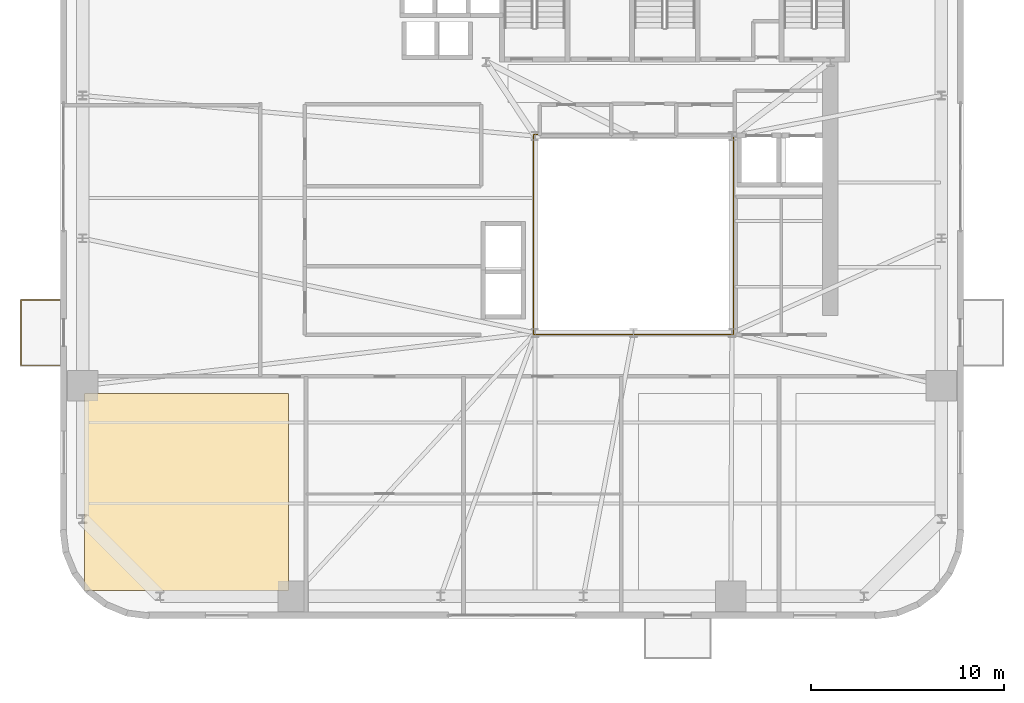
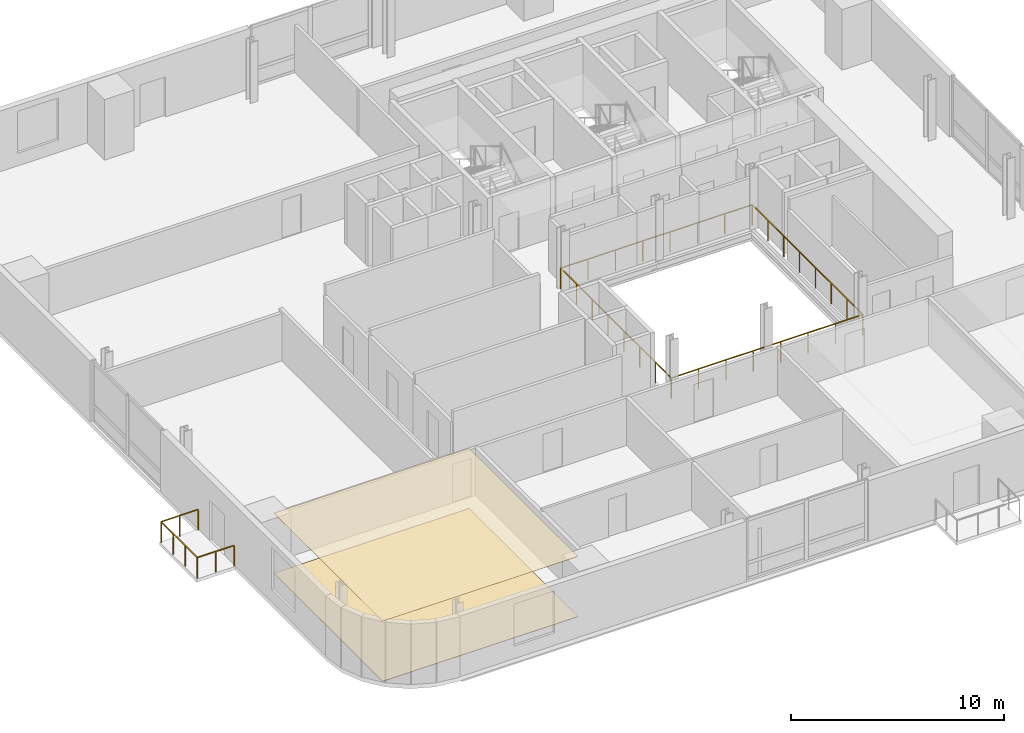
# One storey, part 10 of 13: 2 coverings, 2 railings.
"""IFC4 building model written with IfcOpenShell, lengths in metres."""

from ifc_helpers import new_model, si_unit, direction, frame, origin, origin_2d, place, context, subcontext, project, spatial, polyline, rectangle, outline, extrude, source, transform, mapped, material, layer, layer_set, type_object, element, save


model = new_model("IFC4")

# Units and contexts
model_context = context("Model", 3, precision=1e-05, world=origin(), true_north=direction((0.0, 1.0)))
body_context = subcontext(model_context, "Body", "Model", "MODEL_VIEW")
ifc_project = project(units=[si_unit("LENGTHUNIT", "METRE"), si_unit("AREAUNIT", "SQUARE_METRE"), si_unit("VOLUMEUNIT", "CUBIC_METRE"), si_unit("PLANEANGLEUNIT", "RADIAN"), si_unit("MASSUNIT", "GRAM", prefix="KILO")], contexts=[model_context])

# Site, building, storey
site_placement = place(None, origin())
site = spatial("IfcSite", under=ifc_project, at=site_placement, CompositionType="ELEMENT")
building_placement = place(site_placement, origin())
building = spatial("IfcBuilding", under=site, at=building_placement, Name="Vardaveli Station Tower", CompositionType="ELEMENT")
storey_placement = place(building_placement, frame((0.0, 0.0, 159.39990234375)))
storey = spatial("IfcBuildingStorey", under=building, at=storey_placement, Name="L41", CompositionType="ELEMENT", Elevation=159.39990234375)

# Coverings
ifc_material_1 = material(Name="Perforated acoustic mineral ceiling")
ifc_layer_1 = layer(ifc_material_1, 0.02001953125, Name="Perforated acoustic mineral ceiling")
ifc_layer_set_1 = layer_set([ifc_layer_1], Name="Perforated acoustic mineral ceiling")
covering_type_1 = type_object("IfcCoveringType", Name="COV-CEIL-AC20", PredefinedType="CEILING", material=ifc_layer_set_1)
covering_1_placement = place(storey_placement, frame((0.0, 0.0, 3.445068359375)))
element("IfcCovering", 1, at=covering_1_placement, inside=storey, type_object=covering_type_1, Name="CEIL-L41-1", PredefinedType="CEILING", context=body_context, shape_type="SweptSolid", body=[
    extrude(outline(polyline([(7.85009765625, 3.25), (18.419921875, 3.25), (18.419921875, 13.449951171875), (7.85009765625, 13.449951171875), (7.85009765625, 3.25)])), origin(), (0.0, 0.0, 1.0), 0.02001953125),
])
ifc_material_2 = material(Name="Honed Caucasian basalt and travertine flooring", Category="masonry")
ifc_layer_2 = layer(ifc_material_2, 0.030029296875, Name="Honed Caucasian basalt and travertine flooring")
ifc_layer_set_2 = layer_set([ifc_layer_2], Name="Honed Caucasian basalt and travertine flooring")
covering_type_2 = type_object("IfcCoveringType", Name="COV-FLOOR-ST30", PredefinedType="FLOORING", material=ifc_layer_set_2)
covering_2_placement = place(storey_placement, origin())
element("IfcCovering", 2, at=covering_2_placement, inside=storey, type_object=covering_type_2, Name="FLR-L41-1", PredefinedType="FLOORING", context=body_context, shape_type="SweptSolid", body=[
    extrude(outline(polyline([(7.85009765625, 3.25), (18.419921875, 3.25), (18.419921875, 13.449951171875), (7.85009765625, 13.449951171875), (7.85009765625, 3.25)])), origin(), (0.0, 0.0, 1.0), 0.030029296875),
])

# Railings
ifc_material_3 = material(Name="Laminated glass and stainless steel balustrade", Category="steel")
railing_type = type_object("IfcRailingType", Name="RL-BAL-1200", PredefinedType="BALUSTRADE", material=ifc_material_3)
shared_shape_1 = source(origin(), body_context, "Body", "SweptSolid", [
    extrude(rectangle(XDim=0.048095703125, YDim=0.048095703125, at=origin_2d()), frame((0.0, 0.0, 1.17578125), z_axis=(-1.0, 0.0, 0.0), x_axis=(0.0, -1.0, 0.0)), (0.0, 0.0, 1.0), 2.0),
    extrude(rectangle(XDim=0.048095703125, YDim=0.048095703125, at=origin_2d()), frame((-2.0, 0.0, 1.17578125), z_axis=(0.0, 1.0, 0.0), x_axis=(-1.0, 0.0, 0.0)), (0.0, 0.0, 1.0), 3.3798828125),
    extrude(rectangle(XDim=0.048095703125, YDim=0.048095703125, at=origin_2d()), frame((-2.0, 3.3798828125, 1.17578125), z_axis=(1.0, 0.0, 0.0), x_axis=(0.0, 1.0, 0.0)), (0.0, 0.0, 1.0), 2.0),
    extrude(rectangle(XDim=0.0419921875, YDim=0.0419921875, at=origin_2d()), origin(), (0.0, 0.0, 1.0), 1.15185546875),
    extrude(rectangle(XDim=0.0419921875, YDim=0.0419921875, at=origin_2d()), frame((-1.0, 0.0, 0.0)), (0.0, 0.0, 1.0), 1.15185546875),
    extrude(rectangle(XDim=0.0419921875, YDim=0.0419921875, at=origin_2d()), frame((-2.0, 0.0, 0.0)), (0.0, 0.0, 1.0), 1.15185546875),
    extrude(rectangle(XDim=0.0419921875, YDim=0.0419921875, at=origin_2d()), frame((-2.0, 1.126708984375, 0.0)), (0.0, 0.0, 1.0), 1.15185546875),
    extrude(rectangle(XDim=0.0419921875, YDim=0.0419921875, at=origin_2d()), frame((-2.0, 2.253173828125, 0.0)), (0.0, 0.0, 1.0), 1.15185546875),
    extrude(rectangle(XDim=0.0419921875, YDim=0.0419921875, at=origin_2d()), frame((-2.0, 3.3798828125, 0.0)), (0.0, 0.0, 1.0), 1.15185546875),
    extrude(rectangle(XDim=0.0419921875, YDim=0.0419921875, at=origin_2d()), frame((-1.0, 3.3798828125, 0.0)), (0.0, 0.0, 1.0), 1.15185546875),
    extrude(rectangle(XDim=0.0419921875, YDim=0.0419921875, at=origin_2d()), frame((0.0, 3.3798828125, 0.0)), (0.0, 0.0, 1.0), 1.15185546875),
])
railing_1_placement = place(storey_placement, frame((6.56005859375, 14.92041015625, 0.0)))
element("IfcRailing", 3, at=railing_1_placement, inside=storey, type_object=railing_type, Name="RL-LOG-L41-03", PredefinedType="BALUSTRADE", context=body_context, shape_type="MappedRepresentation", body=[
    mapped(shared_shape_1, transform((0.0, 0.0, 0.0), scale=1.0)),
])
shared_shape_2 = source(origin(), body_context, "Body", "SweptSolid", [
    extrude(rectangle(XDim=0.048095703125, YDim=0.048095703125, at=origin_2d()), frame((0.0, 0.0, 1.17578125), z_axis=(1.0, 0.0, 0.0), x_axis=(0.0, 1.0, 0.0)), (0.0, 0.0, 1.0), 10.35986328125),
    extrude(rectangle(XDim=0.048095703125, YDim=0.048095703125, at=origin_2d()), frame((10.35986328125, 0.0, 1.17578125), z_axis=(0.0, 1.0, 0.0), x_axis=(-1.0, 0.0, 0.0)), (0.0, 0.0, 1.0), 10.35986328125),
    extrude(rectangle(XDim=0.048095703125, YDim=0.048095703125, at=origin_2d()), frame((10.35986328125, 10.35986328125, 1.17578125), z_axis=(-1.0, 0.0, 0.0), x_axis=(0.0, -1.0, 0.0)), (0.0, 0.0, 1.0), 10.35986328125),
    extrude(rectangle(XDim=0.048095703125, YDim=0.048095703125, at=origin_2d()), frame((0.0, 10.35986328125, 1.17578125), z_axis=(0.0, -1.0, 0.0), x_axis=(1.0, 0.0, 0.0)), (0.0, 0.0, 1.0), 10.35986328125),
    extrude(rectangle(XDim=0.0419921875, YDim=0.0419921875, at=origin_2d()), origin(), (0.0, 0.0, 1.0), 1.15185546875),
    extrude(rectangle(XDim=0.0419921875, YDim=0.0419921875, at=origin_2d()), frame((1.47998046875, 0.0, 0.0)), (0.0, 0.0, 1.0), 1.15185546875),
    extrude(rectangle(XDim=0.0419921875, YDim=0.0419921875, at=origin_2d()), frame((2.9599609375, 0.0, 0.0)), (0.0, 0.0, 1.0), 1.15185546875),
    extrude(rectangle(XDim=0.0419921875, YDim=0.0419921875, at=origin_2d()), frame((4.43994140625, 0.0, 0.0)), (0.0, 0.0, 1.0), 1.15185546875),
    extrude(rectangle(XDim=0.0419921875, YDim=0.0419921875, at=origin_2d()), frame((5.919921875, 0.0, 0.0)), (0.0, 0.0, 1.0), 1.15185546875),
    extrude(rectangle(XDim=0.0419921875, YDim=0.0419921875, at=origin_2d()), frame((7.39990234375, 0.0, 0.0)), (0.0, 0.0, 1.0), 1.15185546875),
    extrude(rectangle(XDim=0.0419921875, YDim=0.0419921875, at=origin_2d()), frame((8.8798828125, 0.0, 0.0)), (0.0, 0.0, 1.0), 1.15185546875),
    extrude(rectangle(XDim=0.0419921875, YDim=0.0419921875, at=origin_2d()), frame((10.35986328125, 0.0, 0.0)), (0.0, 0.0, 1.0), 1.15185546875),
    extrude(rectangle(XDim=0.0419921875, YDim=0.0419921875, at=origin_2d()), frame((10.35986328125, 1.47998046875, 0.0)), (0.0, 0.0, 1.0), 1.15185546875),
    extrude(rectangle(XDim=0.0419921875, YDim=0.0419921875, at=origin_2d()), frame((10.35986328125, 2.9599609375, 0.0)), (0.0, 0.0, 1.0), 1.15185546875),
    extrude(rectangle(XDim=0.0419921875, YDim=0.0419921875, at=origin_2d()), frame((10.35986328125, 4.43994140625, 0.0)), (0.0, 0.0, 1.0), 1.15185546875),
    extrude(rectangle(XDim=0.0419921875, YDim=0.0419921875, at=origin_2d()), frame((10.35986328125, 5.919921875, 0.0)), (0.0, 0.0, 1.0), 1.15185546875),
    extrude(rectangle(XDim=0.0419921875, YDim=0.0419921875, at=origin_2d()), frame((10.35986328125, 7.39990234375, 0.0)), (0.0, 0.0, 1.0), 1.15185546875),
    extrude(rectangle(XDim=0.0419921875, YDim=0.0419921875, at=origin_2d()), frame((10.35986328125, 8.8798828125, 0.0)), (0.0, 0.0, 1.0), 1.15185546875),
    extrude(rectangle(XDim=0.0419921875, YDim=0.0419921875, at=origin_2d()), frame((10.35986328125, 10.35986328125, 0.0)), (0.0, 0.0, 1.0), 1.15185546875),
    extrude(rectangle(XDim=0.0419921875, YDim=0.0419921875, at=origin_2d()), frame((8.8798828125, 10.35986328125, 0.0)), (0.0, 0.0, 1.0), 1.15185546875),
    extrude(rectangle(XDim=0.0419921875, YDim=0.0419921875, at=origin_2d()), frame((7.39990234375, 10.35986328125, 0.0)), (0.0, 0.0, 1.0), 1.15185546875),
    extrude(rectangle(XDim=0.0419921875, YDim=0.0419921875, at=origin_2d()), frame((5.919921875, 10.35986328125, 0.0)), (0.0, 0.0, 1.0), 1.15185546875),
    extrude(rectangle(XDim=0.0419921875, YDim=0.0419921875, at=origin_2d()), frame((4.43994140625, 10.35986328125, 0.0)), (0.0, 0.0, 1.0), 1.15185546875),
    extrude(rectangle(XDim=0.0419921875, YDim=0.0419921875, at=origin_2d()), frame((2.9599609375, 10.35986328125, 0.0)), (0.0, 0.0, 1.0), 1.15185546875),
    extrude(rectangle(XDim=0.0419921875, YDim=0.0419921875, at=origin_2d()), frame((1.47998046875, 10.35986328125, 0.0)), (0.0, 0.0, 1.0), 1.15185546875),
    extrude(rectangle(XDim=0.0419921875, YDim=0.0419921875, at=origin_2d()), frame((0.0, 10.35986328125, 0.0)), (0.0, 0.0, 1.0), 1.15185546875),
    extrude(rectangle(XDim=0.0419921875, YDim=0.0419921875, at=origin_2d()), frame((0.0, 8.8798828125, 0.0)), (0.0, 0.0, 1.0), 1.15185546875),
    extrude(rectangle(XDim=0.0419921875, YDim=0.0419921875, at=origin_2d()), frame((0.0, 7.39990234375, 0.0)), (0.0, 0.0, 1.0), 1.15185546875),
    extrude(rectangle(XDim=0.0419921875, YDim=0.0419921875, at=origin_2d()), frame((0.0, 5.919921875, 0.0)), (0.0, 0.0, 1.0), 1.15185546875),
    extrude(rectangle(XDim=0.0419921875, YDim=0.0419921875, at=origin_2d()), frame((0.0, 4.43994140625, 0.0)), (0.0, 0.0, 1.0), 1.15185546875),
    extrude(rectangle(XDim=0.0419921875, YDim=0.0419921875, at=origin_2d()), frame((0.0, 2.9599609375, 0.0)), (0.0, 0.0, 1.0), 1.15185546875),
    extrude(rectangle(XDim=0.0419921875, YDim=0.0419921875, at=origin_2d()), frame((0.0, 1.47998046875, 0.0)), (0.0, 0.0, 1.0), 1.15185546875),
])
railing_2_placement = place(storey_placement, frame((31.1201171875, 16.52001953125, 0.0)))
element("IfcRailing", 4, at=railing_2_placement, inside=storey, type_object=railing_type, Name="RL-ATR-L41", PredefinedType="BALUSTRADE", context=body_context, shape_type="MappedRepresentation", body=[
    mapped(shared_shape_2, transform((0.0, 0.0, 0.0), scale=1.0)),
])

save(model, "model.ifc")
